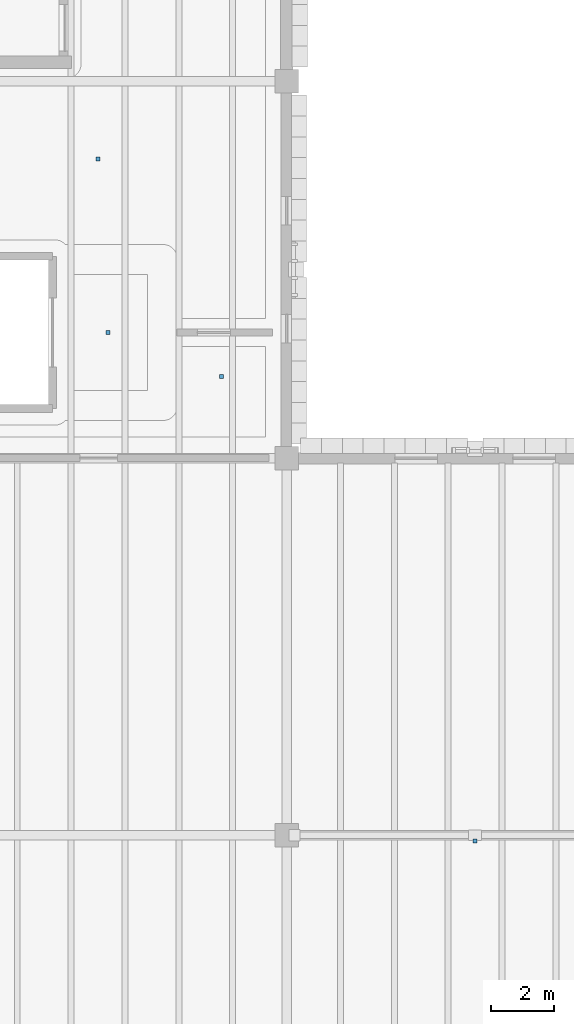
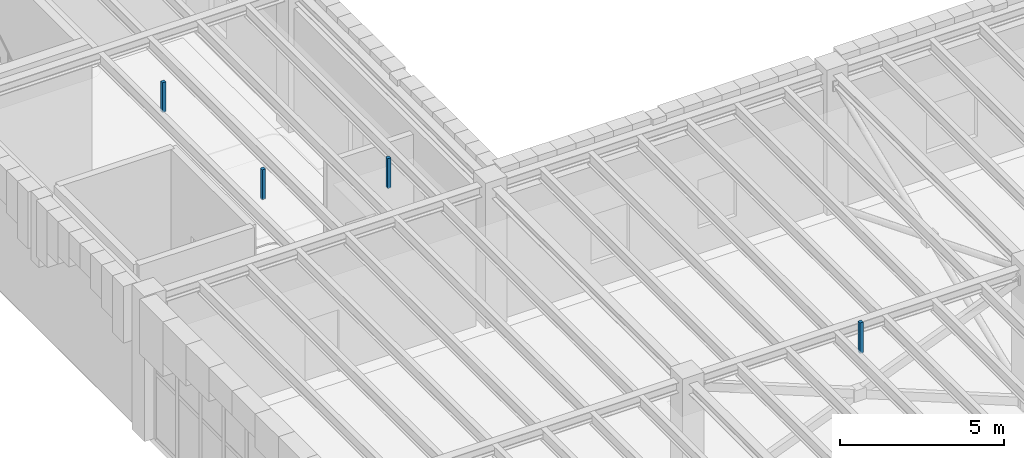
# One storey, part 64 of 103: 4 discrete accessories.
"""IFC4 building model written with IfcOpenShell, lengths in metres."""

from ifc_helpers import new_model, si_unit, direction, frame, origin, origin_2d, place, context, subcontext, project, spatial, rectangle, extrude, material, type_object, element, save


model = new_model("IFC4")

# Units and contexts
model_context = context("Model", 3, precision=1e-05, world=origin(), true_north=direction((0.0, 1.0)))
body_context = subcontext(model_context, "Body", "Model", "MODEL_VIEW")
ifc_project = project(units=[si_unit("LENGTHUNIT", "METRE"), si_unit("AREAUNIT", "SQUARE_METRE"), si_unit("VOLUMEUNIT", "CUBIC_METRE"), si_unit("PLANEANGLEUNIT", "RADIAN"), si_unit("MASSUNIT", "GRAM", prefix="KILO")], contexts=[model_context])

# Site, building, storey
site_placement = place(None, origin())
site = spatial("IfcSite", under=ifc_project, at=site_placement, CompositionType="ELEMENT")
building_placement = place(site_placement, origin())
building = spatial("IfcBuilding", under=site, at=building_placement, Name="Zlatogorsky Bluff Art Gallery", CompositionType="ELEMENT")
storey_placement = place(building_placement, origin())
storey = spatial("IfcBuildingStorey", under=building, at=storey_placement, Name="L00", CompositionType="ELEMENT", Elevation=0.0)

# Discrete accessories
ifc_material = material(Name="Steel S355", Category="steel")
discrete_accessory_type = type_object("IfcDiscreteAccessoryType", Name="Stainless Facade Fin Bracket BRK-01", PredefinedType="BRACKET", material=ifc_material)
for number, where, z_axis, x_axis, name in (
    (1, (126.320068359375, 54.39990234375, 4.05517578125), (0.0, 0.0, 1.0), (1.0, 0.0, 0.0), "Acoustic ceiling suspension hanger L00-GL-1-LB"),
    (2, (129.925048828125, 53.0, 4.05517578125), (0.0, 0.0, 1.0), (1.0, 0.0, 0.0), "Acoustic ceiling suspension hanger L00-C2-11"),
    (3, (126.0, 59.919921875, 4.05517578125), (0.0, 0.0, 1.0), (1.0, 0.0, 0.0), "Acoustic ceiling suspension hanger L00-C2-12"),
):
    element("IfcDiscreteAccessory", number, at=place(storey_placement, frame(where, z_axis=z_axis, x_axis=x_axis)), inside=storey, type_object=discrete_accessory_type, Name=name, PredefinedType="BRACKET", context=body_context, shape_type="SweptSolid", body=[
        extrude(rectangle(XDim=0.1201171875, YDim=0.1201171875, at=origin_2d()), origin(), (0.0, 0.0, 1.0), 1.110107421875),
    ])
discrete_accessory_placement = place(storey_placement, frame((138.0, 38.217529296875, 4.05517578125), z_axis=(0.0, 0.0, 1.0), x_axis=(1.0, 0.0, 0.0)))
element("IfcDiscreteAccessory", 4, at=discrete_accessory_placement, inside=storey, type_object=discrete_accessory_type, Name="Acoustic ceiling suspension hanger L00-L1-11", PredefinedType="BRACKET", context=body_context, shape_type="SweptSolid", body=[
    extrude(rectangle(XDim=0.1201171875, YDim=0.1201171875, at=origin_2d()), origin(), (0.0, 0.0, 1.0), 1.139892578125),
])

save(model, "model.ifc")
